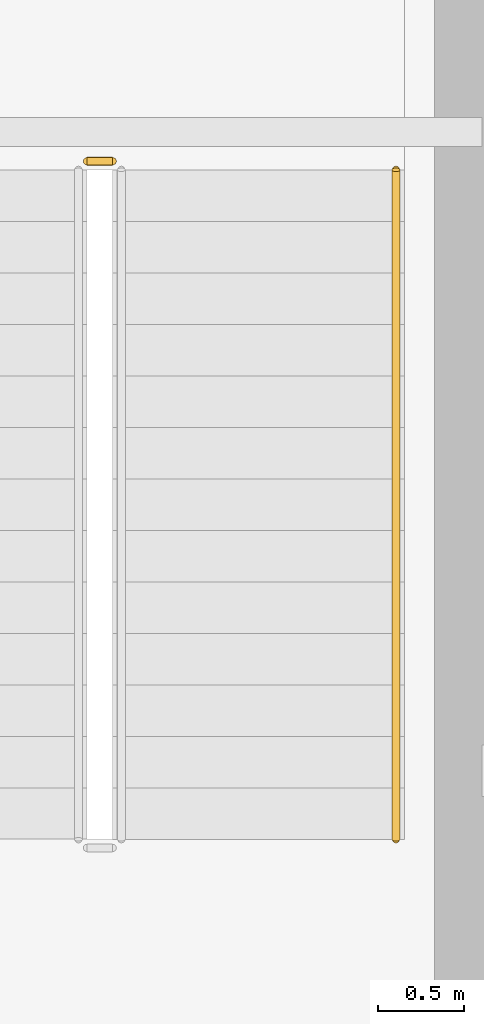
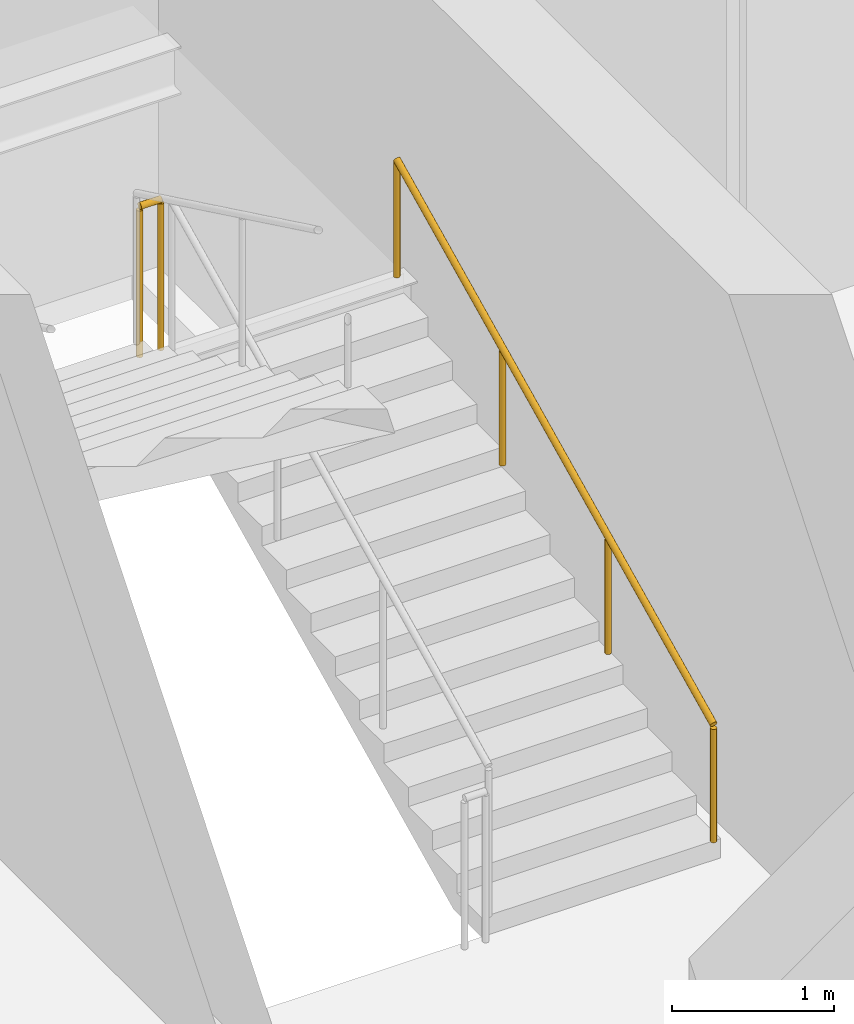
# One storey, part 39 of 44: 2 railings.
"""IFC4 building model written with IfcOpenShell, lengths in metres."""

from ifc_helpers import new_model, si_unit, direction, frame, origin, origin_2d, place, context, subcontext, project, spatial, circle, extrude, material, type_object, element, save


model = new_model("IFC4")

# Units and contexts
model_context = context("Model", 3, precision=1e-05, world=origin(), true_north=direction((0.0, 1.0)))
body_context = subcontext(model_context, "Body", "Model", "MODEL_VIEW")
ifc_project = project(units=[si_unit("LENGTHUNIT", "METRE"), si_unit("AREAUNIT", "SQUARE_METRE"), si_unit("VOLUMEUNIT", "CUBIC_METRE"), si_unit("PLANEANGLEUNIT", "RADIAN"), si_unit("MASSUNIT", "GRAM", prefix="KILO")], contexts=[model_context])

# Site, building, storey
site_placement = place(None, origin())
site = spatial("IfcSite", under=ifc_project, at=site_placement, CompositionType="ELEMENT")
building_placement = place(site_placement, origin())
building = spatial("IfcBuilding", under=site, at=building_placement, Name="Punatoya Terracotta Tower", CompositionType="ELEMENT")
storey_placement = place(building_placement, frame((0.0, 0.0, 267.60009765625)))
storey = spatial("IfcBuildingStorey", under=building, at=storey_placement, Name="L63", CompositionType="ELEMENT", Elevation=267.60009765625)

# Railings
ifc_material = material(Name="Steel S355", Category="steel")
railing_type_1 = type_object("IfcRailingType", Name="RLG-GRD-1150", PredefinedType="GUARDRAIL", material=ifc_material)
railing_1_placement = place(storey_placement, frame((8.050048828125, 0.14990234375, 2.02490234375)))
element("IfcRailing", 1, at=railing_1_placement, inside=storey, type_object=railing_type_1, Name="L63 ST-2 stair guard 2", PredefinedType="GUARDRAIL", context=body_context, shape_type="SweptSolid", body=[
    extrude(circle(Radius=0.02392578125, at=origin_2d()), frame((0.0, 0.0, 1.1259765625), z_axis=(-1.0, 0.0, 0.0), x_axis=(0.0, -1.0, 0.0)), (0.0, 0.0, 1.0), 0.150146484375),
    extrude(circle(Radius=0.02099609375, at=origin_2d()), origin(), (0.0, 0.0, 1.0), 1.101806640625),
    extrude(circle(Radius=0.02099609375, at=origin_2d()), frame((-0.150146484375, 0.0, 0.0)), (0.0, 0.0, 1.0), 1.101806640625),
])
railing_type_2 = type_object("IfcRailingType", Name="RLG-HND-900", PredefinedType="HANDRAIL", material=ifc_material)
railing_2_placement = place(storey_placement, frame((9.699951171875, -3.800048828125, 0.14453125)))
element("IfcRailing", 2, at=railing_2_placement, inside=storey, type_object=railing_type_2, Name="L63 ST-2 stair handrail 1", PredefinedType="HANDRAIL", context=body_context, shape_type="SweptSolid", body=[
    extrude(circle(Radius=0.02392578125, at=origin_2d()), frame((0.0, 0.0, 0.8759765625), z_axis=(0.0, 0.900773802044, 0.434288564841), x_axis=(-1.0, 0.0, 0.0)), (0.0, 0.0, 1.0), 4.329833984375),
    extrude(circle(Radius=0.02099609375, at=origin_2d()), origin(), (0.0, 0.0, 1.0), 0.851806640625),
    extrude(circle(Radius=0.02099609375, at=origin_2d()), frame((0.0, 1.300048828125, 0.626708984375)), (0.0, 0.0, 1.0), 0.851806640625),
    extrude(circle(Radius=0.02099609375, at=origin_2d()), frame((0.0, 2.60009765625, 1.253662109375)), (0.0, 0.0, 1.0), 0.851806640625),
    extrude(circle(Radius=0.02099609375, at=origin_2d()), frame((0.0, 3.900146484375, 1.88037109375)), (0.0, 0.0, 1.0), 0.851806640625),
])

save(model, "model.ifc")
